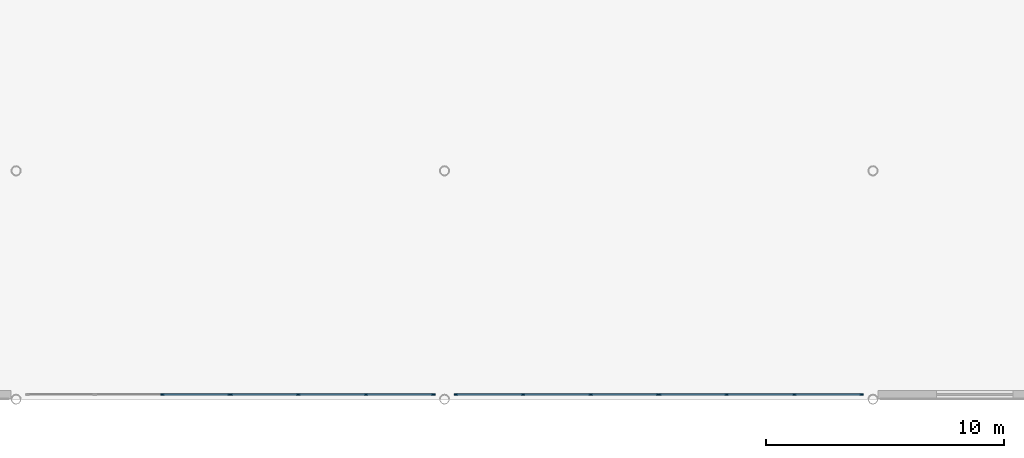
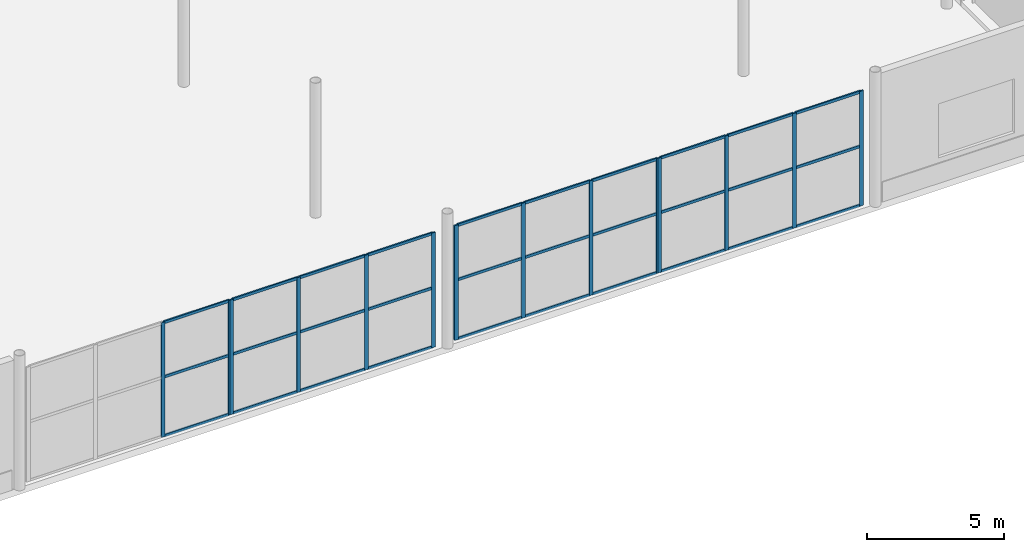
# One storey, part 27 of 113: 44 members, 4 elements without a shape of their own.
"""IFC4 building model written with IfcOpenShell, lengths in metres."""

from ifc_helpers import new_model, si_unit, direction, frame, origin, origin_2d, place, context, subcontext, project, spatial, rectangle, extrude, material, layer, layer_set, material_profile, profile_set, type_object, element, aggregate, save


model = new_model("IFC4")

# Units and contexts
model_context = context("Model", 3, precision=1e-05, world=origin(), true_north=direction((0.0, 1.0)))
body_context = subcontext(model_context, "Body", "Model", "MODEL_VIEW")
ifc_project = project(units=[si_unit("LENGTHUNIT", "METRE"), si_unit("AREAUNIT", "SQUARE_METRE"), si_unit("VOLUMEUNIT", "CUBIC_METRE"), si_unit("PLANEANGLEUNIT", "RADIAN"), si_unit("MASSUNIT", "GRAM", prefix="KILO")], contexts=[model_context])

# Site, building, storey
site_placement = place(None, origin())
site = spatial("IfcSite", under=ifc_project, at=site_placement, CompositionType="ELEMENT")
building_placement = place(site_placement, origin())
building = spatial("IfcBuilding", under=site, at=building_placement, Name="Myrtia Square Station", CompositionType="ELEMENT")
storey_placement = place(building_placement, origin())
storey = spatial("IfcBuildingStorey", under=building, at=storey_placement, Name="L00", CompositionType="ELEMENT", Elevation=0.0)

# Curtain wall, members
ifc_material = material(Name="Dark bronze anodised aluminium", Category="aluminium")
ifc_layer = layer(ifc_material, 0.159912109375, Name="Dark bronze anodised aluminium")
ifc_layer_set = layer_set([ifc_layer], Name="Dark bronze anodised aluminium")
curtain_wall_type = type_object("IfcCurtainWallType", Name="CW-TYPE-23-855x510", PredefinedType="USERDEFINED", material=ifc_layer_set)
curtain_wall_1_placement = place(storey_placement, origin())
curtain_wall_1 = element("IfcCurtainWall", 1, at=curtain_wall_1_placement, inside=storey, type_object=curtain_wall_type, Name="Concourse curtain wall CW-L00-082", ObjectType="CONCOURSE CURTAIN WALL", PredefinedType="USERDEFINED")
ifc_material_profile_1 = material_profile(ifc_material, rectangle(XDim=0.06005859375, YDim=0.159912109375, at=origin_2d()), Name="ALU-M 60x160")
ifc_profile_set_1 = profile_set([ifc_material_profile_1], Name="Dark bronze anodised aluminium")
member_type_1 = type_object("IfcMemberType", Name="CWM-60x160", PredefinedType="MULLION", material=ifc_profile_set_1)
member_1_placement = place(storey_placement, frame((33.14990234375, 0.199951171875, 0.0), z_axis=(0.0, 0.0, 1.0), x_axis=(0.0, 1.0, 0.0)))
member_1 = element("IfcMember", 2, at=member_1_placement, type_object=member_type_1, Name="CW-082 mullion 3", PredefinedType="MULLION", context=body_context, shape_type="SweptSolid", body=[
    extrude(rectangle(XDim=0.06005859375, YDim=0.159912109375, at=origin_2d()), origin(), (0.0, 0.0, 1.0), 5.10009765625),
])
member_2_placement = place(storey_placement, frame((35.969970703125, 0.199951171875, 0.0), z_axis=(0.0, 0.0, 1.0), x_axis=(0.0, 1.0, 0.0)))
member_2 = element("IfcMember", 3, at=member_2_placement, type_object=member_type_1, Name="CW-082 mullion 4", PredefinedType="MULLION", context=body_context, shape_type="SweptSolid", body=[
    extrude(rectangle(XDim=0.06005859375, YDim=0.159912109375, at=origin_2d()), origin(), (0.0, 0.0, 1.0), 5.10009765625),
])

curtain_wall_2_placement = place(storey_placement, origin())
curtain_wall_2 = element("IfcCurtainWall", 4, at=curtain_wall_2_placement, inside=storey, type_object=curtain_wall_type, Name="Concourse curtain wall CW-L00-084", ObjectType="CONCOURSE CURTAIN WALL", PredefinedType="USERDEFINED")
member_3_placement = place(storey_placement, frame((36.030029296875, 0.199951171875, 0.0), z_axis=(0.0, 0.0, 1.0), x_axis=(0.0, 1.0, 0.0)))
member_3 = element("IfcMember", 5, at=member_3_placement, type_object=member_type_1, Name="CW-084 mullion 1", PredefinedType="MULLION", context=body_context, shape_type="SweptSolid", body=[
    extrude(rectangle(XDim=0.06005859375, YDim=0.159912109375, at=origin_2d()), origin(), (0.0, 0.0, 1.0), 5.10009765625),
])
member_4_placement = place(storey_placement, frame((38.85009765625, 0.199951171875, 0.0), z_axis=(0.0, 0.0, 1.0), x_axis=(0.0, 1.0, 0.0)))
member_4 = element("IfcMember", 6, at=member_4_placement, type_object=member_type_1, Name="CW-084 mullion 2", PredefinedType="MULLION", context=body_context, shape_type="SweptSolid", body=[
    extrude(rectangle(XDim=0.06005859375, YDim=0.159912109375, at=origin_2d()), origin(), (0.0, 0.0, 1.0), 5.10009765625),
])
member_5_placement = place(storey_placement, frame((41.699951171875, 0.199951171875, 0.0), z_axis=(0.0, 0.0, 1.0), x_axis=(0.0, 1.0, 0.0)))
member_5 = element("IfcMember", 7, at=member_5_placement, type_object=member_type_1, Name="CW-084 mullion 3", PredefinedType="MULLION", context=body_context, shape_type="SweptSolid", body=[
    extrude(rectangle(XDim=0.06005859375, YDim=0.159912109375, at=origin_2d()), origin(), (0.0, 0.0, 1.0), 5.10009765625),
])
member_6_placement = place(storey_placement, frame((44.52001953125, 0.199951171875, 0.0), z_axis=(0.0, 0.0, 1.0), x_axis=(0.0, 1.0, 0.0)))
member_6 = element("IfcMember", 8, at=member_6_placement, type_object=member_type_1, Name="CW-084 mullion 4", PredefinedType="MULLION", context=body_context, shape_type="SweptSolid", body=[
    extrude(rectangle(XDim=0.06005859375, YDim=0.159912109375, at=origin_2d()), origin(), (0.0, 0.0, 1.0), 5.10009765625),
])

curtain_wall_3_placement = place(storey_placement, origin())
curtain_wall_3 = element("IfcCurtainWall", 9, at=curtain_wall_3_placement, inside=storey, type_object=curtain_wall_type, Name="Concourse curtain wall CW-L00-086", ObjectType="CONCOURSE CURTAIN WALL", PredefinedType="USERDEFINED")
member_7_placement = place(storey_placement, frame((45.47998046875, 0.199951171875, 0.0), z_axis=(0.0, 0.0, 1.0), x_axis=(0.0, 1.0, 0.0)))
member_7 = element("IfcMember", 10, at=member_7_placement, type_object=member_type_1, Name="CW-086 mullion 1", PredefinedType="MULLION", context=body_context, shape_type="SweptSolid", body=[
    extrude(rectangle(XDim=0.06005859375, YDim=0.159912109375, at=origin_2d()), origin(), (0.0, 0.0, 1.0), 5.10009765625),
])
member_8_placement = place(storey_placement, frame((48.300048828125, 0.199951171875, 0.0), z_axis=(0.0, 0.0, 1.0), x_axis=(0.0, 1.0, 0.0)))
member_8 = element("IfcMember", 11, at=member_8_placement, type_object=member_type_1, Name="CW-086 mullion 2", PredefinedType="MULLION", context=body_context, shape_type="SweptSolid", body=[
    extrude(rectangle(XDim=0.06005859375, YDim=0.159912109375, at=origin_2d()), origin(), (0.0, 0.0, 1.0), 5.10009765625),
])
member_9_placement = place(storey_placement, frame((51.14990234375, 0.199951171875, 0.0), z_axis=(0.0, 0.0, 1.0), x_axis=(0.0, 1.0, 0.0)))
member_9 = element("IfcMember", 12, at=member_9_placement, type_object=member_type_1, Name="CW-086 mullion 3", PredefinedType="MULLION", context=body_context, shape_type="SweptSolid", body=[
    extrude(rectangle(XDim=0.06005859375, YDim=0.159912109375, at=origin_2d()), origin(), (0.0, 0.0, 1.0), 5.10009765625),
])
member_10_placement = place(storey_placement, frame((53.969970703125, 0.199951171875, 0.0), z_axis=(0.0, 0.0, 1.0), x_axis=(0.0, 1.0, 0.0)))
member_10 = element("IfcMember", 13, at=member_10_placement, type_object=member_type_1, Name="CW-086 mullion 4", PredefinedType="MULLION", context=body_context, shape_type="SweptSolid", body=[
    extrude(rectangle(XDim=0.06005859375, YDim=0.159912109375, at=origin_2d()), origin(), (0.0, 0.0, 1.0), 5.10009765625),
])

curtain_wall_4_placement = place(storey_placement, origin())
curtain_wall_4 = element("IfcCurtainWall", 14, at=curtain_wall_4_placement, inside=storey, type_object=curtain_wall_type, Name="Concourse curtain wall CW-L00-088", ObjectType="CONCOURSE CURTAIN WALL", PredefinedType="USERDEFINED")
member_11_placement = place(storey_placement, frame((54.030029296875, 0.199951171875, 0.0), z_axis=(0.0, 0.0, 1.0), x_axis=(0.0, 1.0, 0.0)))
member_11 = element("IfcMember", 15, at=member_11_placement, type_object=member_type_1, Name="CW-088 mullion 1", PredefinedType="MULLION", context=body_context, shape_type="SweptSolid", body=[
    extrude(rectangle(XDim=0.06005859375, YDim=0.159912109375, at=origin_2d()), origin(), (0.0, 0.0, 1.0), 5.10009765625),
])
member_12_placement = place(storey_placement, frame((56.85009765625, 0.199951171875, 0.0), z_axis=(0.0, 0.0, 1.0), x_axis=(0.0, 1.0, 0.0)))
member_12 = element("IfcMember", 16, at=member_12_placement, type_object=member_type_1, Name="CW-088 mullion 2", PredefinedType="MULLION", context=body_context, shape_type="SweptSolid", body=[
    extrude(rectangle(XDim=0.06005859375, YDim=0.159912109375, at=origin_2d()), origin(), (0.0, 0.0, 1.0), 5.10009765625),
])
member_13_placement = place(storey_placement, frame((59.699951171875, 0.199951171875, 0.0), z_axis=(0.0, 0.0, 1.0), x_axis=(0.0, 1.0, 0.0)))
member_13 = element("IfcMember", 17, at=member_13_placement, type_object=member_type_1, Name="CW-088 mullion 3", PredefinedType="MULLION", context=body_context, shape_type="SweptSolid", body=[
    extrude(rectangle(XDim=0.06005859375, YDim=0.159912109375, at=origin_2d()), origin(), (0.0, 0.0, 1.0), 5.10009765625),
])
member_14_placement = place(storey_placement, frame((62.52001953125, 0.199951171875, 0.0), z_axis=(0.0, 0.0, 1.0), x_axis=(0.0, 1.0, 0.0)))
member_14 = element("IfcMember", 18, at=member_14_placement, type_object=member_type_1, Name="CW-088 mullion 4", PredefinedType="MULLION", context=body_context, shape_type="SweptSolid", body=[
    extrude(rectangle(XDim=0.06005859375, YDim=0.159912109375, at=origin_2d()), origin(), (0.0, 0.0, 1.0), 5.10009765625),
])

# Member
ifc_material_profile_2 = material_profile(ifc_material, rectangle(XDim=0.06005859375, YDim=0.1201171875, at=origin_2d()), Name="ALU-T 60x120")
ifc_profile_set_2 = profile_set([ifc_material_profile_2], Name="Dark bronze anodised aluminium")
member_type_2 = type_object("IfcMemberType", Name="CWT-60x120", PredefinedType="USERDEFINED", material=ifc_profile_set_2)
member_15_placement = place(storey_placement, frame((33.179931640625, 0.199951171875, 0.030029296875), z_axis=(1.0, 0.0, 0.0), x_axis=(0.0, 1.0, 0.0)))
member_15 = element("IfcMember", 19, at=member_15_placement, type_object=member_type_2, Name="CW-082 transom 3.1", ObjectType="TRANSOM", PredefinedType="USERDEFINED", context=body_context, shape_type="SweptSolid", body=[
    extrude(rectangle(XDim=0.06005859375, YDim=0.1201171875, at=origin_2d()), origin(), (0.0, 0.0, 1.0), 2.760009765625),
])

member_16_placement = place(storey_placement, frame((33.179931640625, 0.199951171875, 2.652099609375), z_axis=(1.0, 0.0, 0.0), x_axis=(0.0, 1.0, 0.0)))
member_16 = element("IfcMember", 20, at=member_16_placement, type_object=member_type_2, Name="CW-082 transom 3.2", ObjectType="TRANSOM", PredefinedType="USERDEFINED", context=body_context, shape_type="SweptSolid", body=[
    extrude(rectangle(XDim=0.06005859375, YDim=0.1201171875, at=origin_2d()), origin(), (0.0, 0.0, 1.0), 2.760009765625),
])

member_17_placement = place(storey_placement, frame((33.179931640625, 0.199951171875, 5.070068359375), z_axis=(1.0, 0.0, 0.0), x_axis=(0.0, 1.0, 0.0)))
member_17 = element("IfcMember", 21, at=member_17_placement, type_object=member_type_2, Name="CW-082 transom 3.3", ObjectType="TRANSOM", PredefinedType="USERDEFINED", context=body_context, shape_type="SweptSolid", body=[
    extrude(rectangle(XDim=0.06005859375, YDim=0.1201171875, at=origin_2d()), origin(), (0.0, 0.0, 1.0), 2.760009765625),
])

aggregate(curtain_wall_1, [member_1, member_2, member_15, member_16, member_17])

member_18_placement = place(storey_placement, frame((36.06005859375, 0.199951171875, 0.030029296875), z_axis=(1.0, 0.0, 0.0), x_axis=(0.0, 1.0, 0.0)))
member_18 = element("IfcMember", 22, at=member_18_placement, type_object=member_type_2, Name="CW-084 transom 1.1", ObjectType="TRANSOM", PredefinedType="USERDEFINED", context=body_context, shape_type="SweptSolid", body=[
    extrude(rectangle(XDim=0.06005859375, YDim=0.1201171875, at=origin_2d()), origin(), (0.0, 0.0, 1.0), 2.760009765625),
])

member_19_placement = place(storey_placement, frame((36.06005859375, 0.199951171875, 2.652099609375), z_axis=(1.0, 0.0, 0.0), x_axis=(0.0, 1.0, 0.0)))
member_19 = element("IfcMember", 23, at=member_19_placement, type_object=member_type_2, Name="CW-084 transom 1.2", ObjectType="TRANSOM", PredefinedType="USERDEFINED", context=body_context, shape_type="SweptSolid", body=[
    extrude(rectangle(XDim=0.06005859375, YDim=0.1201171875, at=origin_2d()), origin(), (0.0, 0.0, 1.0), 2.760009765625),
])

member_20_placement = place(storey_placement, frame((36.06005859375, 0.199951171875, 5.070068359375), z_axis=(1.0, 0.0, 0.0), x_axis=(0.0, 1.0, 0.0)))
member_20 = element("IfcMember", 24, at=member_20_placement, type_object=member_type_2, Name="CW-084 transom 1.3", ObjectType="TRANSOM", PredefinedType="USERDEFINED", context=body_context, shape_type="SweptSolid", body=[
    extrude(rectangle(XDim=0.06005859375, YDim=0.1201171875, at=origin_2d()), origin(), (0.0, 0.0, 1.0), 2.760009765625),
])

member_21_placement = place(storey_placement, frame((38.8798828125, 0.199951171875, 0.030029296875), z_axis=(1.0, 0.0, 0.0), x_axis=(0.0, 1.0, 0.0)))
member_21 = element("IfcMember", 25, at=member_21_placement, type_object=member_type_2, Name="CW-084 transom 2.1", ObjectType="TRANSOM", PredefinedType="USERDEFINED", context=body_context, shape_type="SweptSolid", body=[
    extrude(rectangle(XDim=0.06005859375, YDim=0.1201171875, at=origin_2d()), origin(), (0.0, 0.0, 1.0), 2.7900390625),
])

member_22_placement = place(storey_placement, frame((38.8798828125, 0.199951171875, 2.652099609375), z_axis=(1.0, 0.0, 0.0), x_axis=(0.0, 1.0, 0.0)))
member_22 = element("IfcMember", 26, at=member_22_placement, type_object=member_type_2, Name="CW-084 transom 2.2", ObjectType="TRANSOM", PredefinedType="USERDEFINED", context=body_context, shape_type="SweptSolid", body=[
    extrude(rectangle(XDim=0.06005859375, YDim=0.1201171875, at=origin_2d()), origin(), (0.0, 0.0, 1.0), 2.7900390625),
])

member_23_placement = place(storey_placement, frame((38.8798828125, 0.199951171875, 5.070068359375), z_axis=(1.0, 0.0, 0.0), x_axis=(0.0, 1.0, 0.0)))
member_23 = element("IfcMember", 27, at=member_23_placement, type_object=member_type_2, Name="CW-084 transom 2.3", ObjectType="TRANSOM", PredefinedType="USERDEFINED", context=body_context, shape_type="SweptSolid", body=[
    extrude(rectangle(XDim=0.06005859375, YDim=0.1201171875, at=origin_2d()), origin(), (0.0, 0.0, 1.0), 2.7900390625),
])

member_24_placement = place(storey_placement, frame((41.72998046875, 0.199951171875, 0.030029296875), z_axis=(1.0, 0.0, 0.0), x_axis=(0.0, 1.0, 0.0)))
member_24 = element("IfcMember", 28, at=member_24_placement, type_object=member_type_2, Name="CW-084 transom 3.1", ObjectType="TRANSOM", PredefinedType="USERDEFINED", context=body_context, shape_type="SweptSolid", body=[
    extrude(rectangle(XDim=0.06005859375, YDim=0.1201171875, at=origin_2d()), origin(), (0.0, 0.0, 1.0), 2.760009765625),
])

member_25_placement = place(storey_placement, frame((41.72998046875, 0.199951171875, 2.652099609375), z_axis=(1.0, 0.0, 0.0), x_axis=(0.0, 1.0, 0.0)))
member_25 = element("IfcMember", 29, at=member_25_placement, type_object=member_type_2, Name="CW-084 transom 3.2", ObjectType="TRANSOM", PredefinedType="USERDEFINED", context=body_context, shape_type="SweptSolid", body=[
    extrude(rectangle(XDim=0.06005859375, YDim=0.1201171875, at=origin_2d()), origin(), (0.0, 0.0, 1.0), 2.760009765625),
])

member_26_placement = place(storey_placement, frame((41.72998046875, 0.199951171875, 5.070068359375), z_axis=(1.0, 0.0, 0.0), x_axis=(0.0, 1.0, 0.0)))
member_26 = element("IfcMember", 30, at=member_26_placement, type_object=member_type_2, Name="CW-084 transom 3.3", ObjectType="TRANSOM", PredefinedType="USERDEFINED", context=body_context, shape_type="SweptSolid", body=[
    extrude(rectangle(XDim=0.06005859375, YDim=0.1201171875, at=origin_2d()), origin(), (0.0, 0.0, 1.0), 2.760009765625),
])

aggregate(curtain_wall_2, [member_3, member_4, member_5, member_6, member_18, member_19, member_20, member_21, member_22, member_23, member_24, member_25, member_26])

member_27_placement = place(storey_placement, frame((45.510009765625, 0.199951171875, 0.030029296875), z_axis=(1.0, 0.0, 0.0), x_axis=(0.0, 1.0, 0.0)))
member_27 = element("IfcMember", 31, at=member_27_placement, type_object=member_type_2, Name="CW-086 transom 1.1", ObjectType="TRANSOM", PredefinedType="USERDEFINED", context=body_context, shape_type="SweptSolid", body=[
    extrude(rectangle(XDim=0.06005859375, YDim=0.1201171875, at=origin_2d()), origin(), (0.0, 0.0, 1.0), 2.760009765625),
])

member_28_placement = place(storey_placement, frame((45.510009765625, 0.199951171875, 2.652099609375), z_axis=(1.0, 0.0, 0.0), x_axis=(0.0, 1.0, 0.0)))
member_28 = element("IfcMember", 32, at=member_28_placement, type_object=member_type_2, Name="CW-086 transom 1.2", ObjectType="TRANSOM", PredefinedType="USERDEFINED", context=body_context, shape_type="SweptSolid", body=[
    extrude(rectangle(XDim=0.06005859375, YDim=0.1201171875, at=origin_2d()), origin(), (0.0, 0.0, 1.0), 2.760009765625),
])

member_29_placement = place(storey_placement, frame((45.510009765625, 0.199951171875, 5.070068359375), z_axis=(1.0, 0.0, 0.0), x_axis=(0.0, 1.0, 0.0)))
member_29 = element("IfcMember", 33, at=member_29_placement, type_object=member_type_2, Name="CW-086 transom 1.3", ObjectType="TRANSOM", PredefinedType="USERDEFINED", context=body_context, shape_type="SweptSolid", body=[
    extrude(rectangle(XDim=0.06005859375, YDim=0.1201171875, at=origin_2d()), origin(), (0.0, 0.0, 1.0), 2.760009765625),
])

member_30_placement = place(storey_placement, frame((48.330078125, 0.199951171875, 0.030029296875), z_axis=(1.0, 0.0, 0.0), x_axis=(0.0, 1.0, 0.0)))
member_30 = element("IfcMember", 34, at=member_30_placement, type_object=member_type_2, Name="CW-086 transom 2.1", ObjectType="TRANSOM", PredefinedType="USERDEFINED", context=body_context, shape_type="SweptSolid", body=[
    extrude(rectangle(XDim=0.06005859375, YDim=0.1201171875, at=origin_2d()), origin(), (0.0, 0.0, 1.0), 2.7900390625),
])

member_31_placement = place(storey_placement, frame((48.330078125, 0.199951171875, 2.652099609375), z_axis=(1.0, 0.0, 0.0), x_axis=(0.0, 1.0, 0.0)))
member_31 = element("IfcMember", 35, at=member_31_placement, type_object=member_type_2, Name="CW-086 transom 2.2", ObjectType="TRANSOM", PredefinedType="USERDEFINED", context=body_context, shape_type="SweptSolid", body=[
    extrude(rectangle(XDim=0.06005859375, YDim=0.1201171875, at=origin_2d()), origin(), (0.0, 0.0, 1.0), 2.7900390625),
])

member_32_placement = place(storey_placement, frame((48.330078125, 0.199951171875, 5.070068359375), z_axis=(1.0, 0.0, 0.0), x_axis=(0.0, 1.0, 0.0)))
member_32 = element("IfcMember", 36, at=member_32_placement, type_object=member_type_2, Name="CW-086 transom 2.3", ObjectType="TRANSOM", PredefinedType="USERDEFINED", context=body_context, shape_type="SweptSolid", body=[
    extrude(rectangle(XDim=0.06005859375, YDim=0.1201171875, at=origin_2d()), origin(), (0.0, 0.0, 1.0), 2.7900390625),
])

member_33_placement = place(storey_placement, frame((51.179931640625, 0.199951171875, 0.030029296875), z_axis=(1.0, 0.0, 0.0), x_axis=(0.0, 1.0, 0.0)))
member_33 = element("IfcMember", 37, at=member_33_placement, type_object=member_type_2, Name="CW-086 transom 3.1", ObjectType="TRANSOM", PredefinedType="USERDEFINED", context=body_context, shape_type="SweptSolid", body=[
    extrude(rectangle(XDim=0.06005859375, YDim=0.1201171875, at=origin_2d()), origin(), (0.0, 0.0, 1.0), 2.760009765625),
])

member_34_placement = place(storey_placement, frame((51.179931640625, 0.199951171875, 2.652099609375), z_axis=(1.0, 0.0, 0.0), x_axis=(0.0, 1.0, 0.0)))
member_34 = element("IfcMember", 38, at=member_34_placement, type_object=member_type_2, Name="CW-086 transom 3.2", ObjectType="TRANSOM", PredefinedType="USERDEFINED", context=body_context, shape_type="SweptSolid", body=[
    extrude(rectangle(XDim=0.06005859375, YDim=0.1201171875, at=origin_2d()), origin(), (0.0, 0.0, 1.0), 2.760009765625),
])

member_35_placement = place(storey_placement, frame((51.179931640625, 0.199951171875, 5.070068359375), z_axis=(1.0, 0.0, 0.0), x_axis=(0.0, 1.0, 0.0)))
member_35 = element("IfcMember", 39, at=member_35_placement, type_object=member_type_2, Name="CW-086 transom 3.3", ObjectType="TRANSOM", PredefinedType="USERDEFINED", context=body_context, shape_type="SweptSolid", body=[
    extrude(rectangle(XDim=0.06005859375, YDim=0.1201171875, at=origin_2d()), origin(), (0.0, 0.0, 1.0), 2.760009765625),
])

aggregate(curtain_wall_3, [member_7, member_8, member_9, member_10, member_27, member_28, member_29, member_30, member_31, member_32, member_33, member_34, member_35])

member_36_placement = place(storey_placement, frame((54.06005859375, 0.199951171875, 0.030029296875), z_axis=(1.0, 0.0, 0.0), x_axis=(0.0, 1.0, 0.0)))
member_36 = element("IfcMember", 40, at=member_36_placement, type_object=member_type_2, Name="CW-088 transom 1.1", ObjectType="TRANSOM", PredefinedType="USERDEFINED", context=body_context, shape_type="SweptSolid", body=[
    extrude(rectangle(XDim=0.06005859375, YDim=0.1201171875, at=origin_2d()), origin(), (0.0, 0.0, 1.0), 2.760009765625),
])

member_37_placement = place(storey_placement, frame((54.06005859375, 0.199951171875, 2.652099609375), z_axis=(1.0, 0.0, 0.0), x_axis=(0.0, 1.0, 0.0)))
member_37 = element("IfcMember", 41, at=member_37_placement, type_object=member_type_2, Name="CW-088 transom 1.2", ObjectType="TRANSOM", PredefinedType="USERDEFINED", context=body_context, shape_type="SweptSolid", body=[
    extrude(rectangle(XDim=0.06005859375, YDim=0.1201171875, at=origin_2d()), origin(), (0.0, 0.0, 1.0), 2.760009765625),
])

member_38_placement = place(storey_placement, frame((54.06005859375, 0.199951171875, 5.070068359375), z_axis=(1.0, 0.0, 0.0), x_axis=(0.0, 1.0, 0.0)))
member_38 = element("IfcMember", 42, at=member_38_placement, type_object=member_type_2, Name="CW-088 transom 1.3", ObjectType="TRANSOM", PredefinedType="USERDEFINED", context=body_context, shape_type="SweptSolid", body=[
    extrude(rectangle(XDim=0.06005859375, YDim=0.1201171875, at=origin_2d()), origin(), (0.0, 0.0, 1.0), 2.760009765625),
])

member_39_placement = place(storey_placement, frame((56.8798828125, 0.199951171875, 0.030029296875), z_axis=(1.0, 0.0, 0.0), x_axis=(0.0, 1.0, 0.0)))
member_39 = element("IfcMember", 43, at=member_39_placement, type_object=member_type_2, Name="CW-088 transom 2.1", ObjectType="TRANSOM", PredefinedType="USERDEFINED", context=body_context, shape_type="SweptSolid", body=[
    extrude(rectangle(XDim=0.06005859375, YDim=0.1201171875, at=origin_2d()), origin(), (0.0, 0.0, 1.0), 2.7900390625),
])

member_40_placement = place(storey_placement, frame((56.8798828125, 0.199951171875, 2.652099609375), z_axis=(1.0, 0.0, 0.0), x_axis=(0.0, 1.0, 0.0)))
member_40 = element("IfcMember", 44, at=member_40_placement, type_object=member_type_2, Name="CW-088 transom 2.2", ObjectType="TRANSOM", PredefinedType="USERDEFINED", context=body_context, shape_type="SweptSolid", body=[
    extrude(rectangle(XDim=0.06005859375, YDim=0.1201171875, at=origin_2d()), origin(), (0.0, 0.0, 1.0), 2.7900390625),
])

member_41_placement = place(storey_placement, frame((56.8798828125, 0.199951171875, 5.070068359375), z_axis=(1.0, 0.0, 0.0), x_axis=(0.0, 1.0, 0.0)))
member_41 = element("IfcMember", 45, at=member_41_placement, type_object=member_type_2, Name="CW-088 transom 2.3", ObjectType="TRANSOM", PredefinedType="USERDEFINED", context=body_context, shape_type="SweptSolid", body=[
    extrude(rectangle(XDim=0.06005859375, YDim=0.1201171875, at=origin_2d()), origin(), (0.0, 0.0, 1.0), 2.7900390625),
])

member_42_placement = place(storey_placement, frame((59.72998046875, 0.199951171875, 0.030029296875), z_axis=(1.0, 0.0, 0.0), x_axis=(0.0, 1.0, 0.0)))
member_42 = element("IfcMember", 46, at=member_42_placement, type_object=member_type_2, Name="CW-088 transom 3.1", ObjectType="TRANSOM", PredefinedType="USERDEFINED", context=body_context, shape_type="SweptSolid", body=[
    extrude(rectangle(XDim=0.06005859375, YDim=0.1201171875, at=origin_2d()), origin(), (0.0, 0.0, 1.0), 2.760009765625),
])

member_43_placement = place(storey_placement, frame((59.72998046875, 0.199951171875, 2.652099609375), z_axis=(1.0, 0.0, 0.0), x_axis=(0.0, 1.0, 0.0)))
member_43 = element("IfcMember", 47, at=member_43_placement, type_object=member_type_2, Name="CW-088 transom 3.2", ObjectType="TRANSOM", PredefinedType="USERDEFINED", context=body_context, shape_type="SweptSolid", body=[
    extrude(rectangle(XDim=0.06005859375, YDim=0.1201171875, at=origin_2d()), origin(), (0.0, 0.0, 1.0), 2.760009765625),
])

member_44_placement = place(storey_placement, frame((59.72998046875, 0.199951171875, 5.070068359375), z_axis=(1.0, 0.0, 0.0), x_axis=(0.0, 1.0, 0.0)))
member_44 = element("IfcMember", 48, at=member_44_placement, type_object=member_type_2, Name="CW-088 transom 3.3", ObjectType="TRANSOM", PredefinedType="USERDEFINED", context=body_context, shape_type="SweptSolid", body=[
    extrude(rectangle(XDim=0.06005859375, YDim=0.1201171875, at=origin_2d()), origin(), (0.0, 0.0, 1.0), 2.760009765625),
])

aggregate(curtain_wall_4, [member_11, member_12, member_13, member_14, member_36, member_37, member_38, member_39, member_40, member_41, member_42, member_43, member_44])

save(model, "model.ifc")
